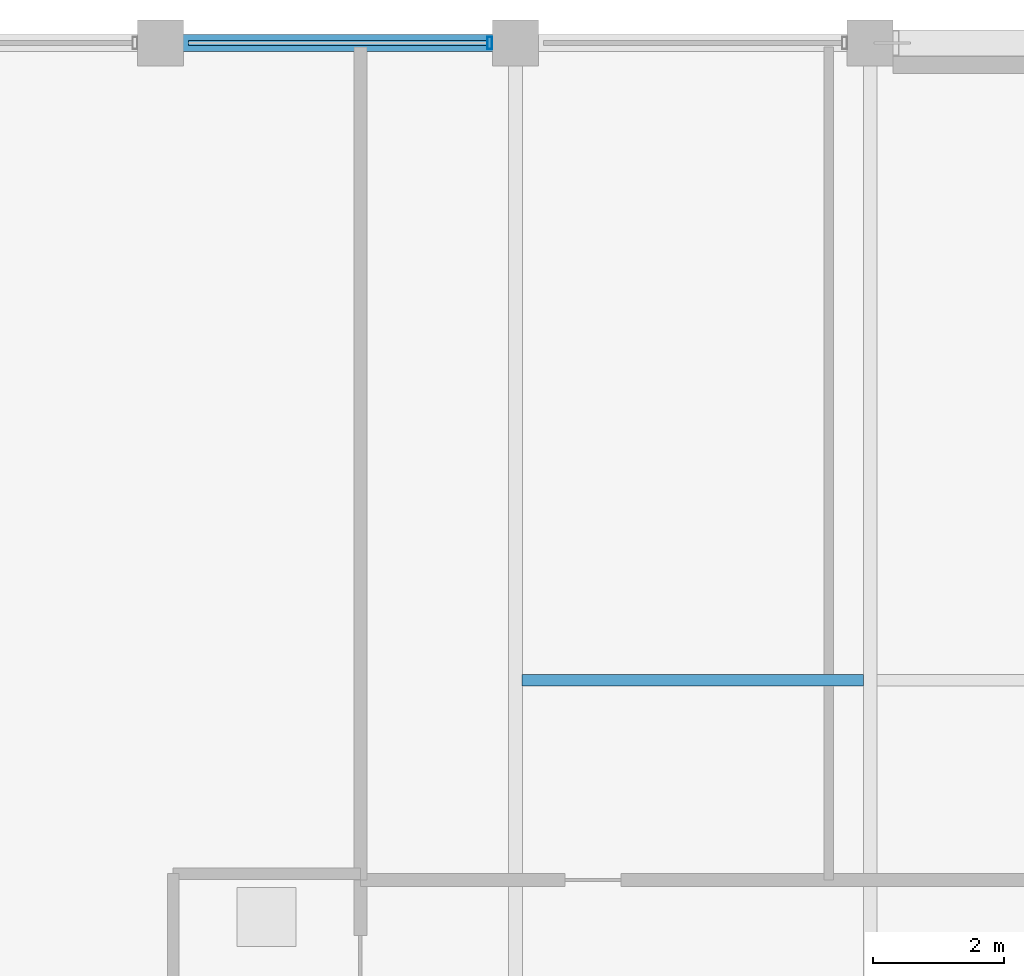
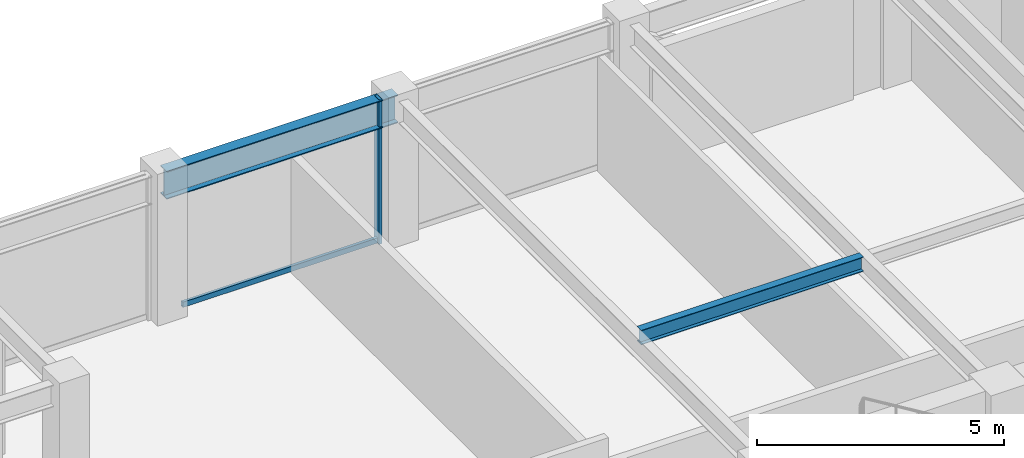
# One storey, part 17 of 30: 2 beams, 2 members, 1 element without a shape of its own.
"""IFC4 building model written with IfcOpenShell, lengths in metres."""

from ifc_helpers import new_model, si_unit, direction, frame, origin, origin_2d, place, context, subcontext, project, spatial, hollow_rectangle, i_section, extrude, material, layer, layer_set, material_profile, profile_set, type_object, element, aggregate, save


model = new_model("IFC4")

# Units and contexts
model_context = context("Model", 3, precision=1e-05, world=origin(), true_north=direction((0.0, 1.0)))
body_context = subcontext(model_context, "Body", "Model", "MODEL_VIEW")
ifc_project = project(units=[si_unit("LENGTHUNIT", "METRE"), si_unit("AREAUNIT", "SQUARE_METRE"), si_unit("VOLUMEUNIT", "CUBIC_METRE"), si_unit("PLANEANGLEUNIT", "RADIAN"), si_unit("MASSUNIT", "GRAM", prefix="KILO")], contexts=[model_context])

# Site, building, storey
site_placement = place(None, origin())
site = spatial("IfcSite", under=ifc_project, at=site_placement, CompositionType="ELEMENT")
building_placement = place(site_placement, origin())
building = spatial("IfcBuilding", under=site, at=building_placement, Name="Surkhivell Harbour Commons", CompositionType="ELEMENT")
storey_placement = place(building_placement, frame((0.0, 0.0, 296.25)))
storey = spatial("IfcBuildingStorey", under=building, at=storey_placement, Name="L77", CompositionType="ELEMENT", Elevation=296.25)

# Beams
ifc_material_1 = material(Name="Steel S355", Category="steel")
ifc_material_profile_1 = material_profile(ifc_material_1, i_section(OverallWidth=0.172119140625, OverallDepth=0.35791015625, WebThickness=0.008056640625, FlangeThickness=0.012939453125, at=origin_2d()), Name="UB356x171x57")
ifc_profile_set_1 = profile_set([ifc_material_profile_1], Name="Steel S355")
beam_type_1 = type_object("IfcBeamType", Name="BM-JST-356", PredefinedType="JOIST", material=ifc_profile_set_1)
beam_1_placement = place(storey_placement, frame((-10.697021484375, 16.199951171875, 3.39111328125), z_axis=(1.0, 0.0, 0.0), x_axis=(0.0, 1.0, 0.0)))
element("IfcBeam", 1, at=beam_1_placement, inside=storey, type_object=beam_type_1, Name="L77 North Composite Joist (-10.8)", PredefinedType="JOIST", context=body_context, shape_type="SweptSolid", body=[
    extrude(i_section(OverallWidth=0.172119140625, OverallDepth=0.35791015625, WebThickness=0.008056640625, FlangeThickness=0.012939453125, at=origin_2d()), origin(), (0.0, 0.0, 1.0), 5.194091796875),
])
ifc_material_profile_2 = material_profile(ifc_material_1, i_section(OverallWidth=0.256103515625, OverallDepth=0.693115234375, WebThickness=0.014404296875, FlangeThickness=0.023681640625, at=origin_2d()), Name="UB686x254x170")
ifc_profile_set_2 = profile_set([ifc_material_profile_2], Name="Steel S355")
beam_type_2 = type_object("IfcBeamType", Name="BM-SPN-686", PredefinedType="SPANDREL", material=ifc_profile_set_2)
beam_2_placement = place(storey_placement, frame((-16.199951171875, 25.89990234375, 3.223388671875), z_axis=(1.0, 0.0, 0.0), x_axis=(0.0, 1.0, 0.0)))
element("IfcBeam", 2, at=beam_2_placement, inside=storey, type_object=beam_type_2, Name="L77 Tube Spandrel (-16.2,25.9)", PredefinedType="SPANDREL", context=body_context, shape_type="SweptSolid", body=[
    extrude(i_section(OverallWidth=0.256103515625, OverallDepth=0.693115234375, WebThickness=0.014404296875, FlangeThickness=0.023681640625, at=origin_2d()), origin(), (0.0, 0.0, 1.0), 5.39990234375),
])

# Curtain wall, members
ifc_material_2 = material(Name="Anodised pale-metal aluminium and insulated glazing", Category="aluminium")
ifc_layer = layer(ifc_material_2, 0.175048828125)
ifc_layer_set = layer_set([ifc_layer], Name="Anodised pale-metal aluminium and insulated glazing")
curtain_wall_type = type_object("IfcCurtainWallType", Name="CW-SYS-Z4", PredefinedType="NOTDEFINED", material=ifc_layer_set)
curtain_wall_placement = place(storey_placement, origin())
curtain_wall = element("IfcCurtainWall", 3, at=curtain_wall_placement, inside=storey, type_object=curtain_wall_type, Name="L77 Curtain Wall CW-L77-E07S2", PredefinedType="NOTDEFINED")
ifc_material_3 = material(Name="Anodised pale-metal aluminium alloy 6063-T6", Category="aluminium")
ifc_material_profile_3 = material_profile(ifc_material_3, hollow_rectangle(XDim=0.074951171875, YDim=0.18994140625, WallThickness=0.00390625, at=origin_2d()), Name="ALU-MULL-75x190")
ifc_profile_set_3 = profile_set([ifc_material_profile_3], Name="Anodised pale-metal aluminium alloy 6063-T6")
member_type_1 = type_object("IfcMemberType", Name="CWM-190", PredefinedType="MULLION", material=ifc_profile_set_3)
member_1_placement = place(storey_placement, frame((-11.189453125, 25.89990234375, 0.0), z_axis=(0.0, 0.0, 1.0), x_axis=(-1.0, 0.0, 0.0)))
member_1 = element("IfcMember", 4, at=member_1_placement, type_object=member_type_1, Name="CW-Z4 mullion 2", PredefinedType="MULLION", context=body_context, shape_type="SweptSolid", body=[
    extrude(hollow_rectangle(XDim=0.074951171875, YDim=0.18994140625, WallThickness=0.00390625, at=origin_2d()), origin(), (0.0, 0.0, 1.0), 3.570068359375),
])
ifc_material_4 = material(Name="Champagne anodised aluminium alloy 6063-T6", Category="aluminium")
ifc_material_profile_4 = material_profile(ifc_material_4, hollow_rectangle(XDim=0.070068359375, YDim=0.1298828125, WallThickness=0.00341796875, at=origin_2d()), Name="ALU-TRAN-70x130")
ifc_profile_set_4 = profile_set([ifc_material_profile_4], Name="Champagne anodised aluminium alloy 6063-T6")
member_type_2 = type_object("IfcMemberType", Name="CWT-130", PredefinedType="USERDEFINED", material=ifc_profile_set_4)
member_2_placement = place(storey_placement, frame((-11.22705078125, 25.89990234375, 0.06494140625), z_axis=(-1.0, 0.0, 0.0), x_axis=(0.0, -1.0, 0.0)))
member_2 = element("IfcMember", 5, at=member_2_placement, type_object=member_type_2, Name="CW-Z4 transom 2.1", ObjectType="TRANSOM", PredefinedType="USERDEFINED", context=body_context, shape_type="SweptSolid", body=[
    extrude(hollow_rectangle(XDim=0.070068359375, YDim=0.1298828125, WallThickness=0.00341796875, at=origin_2d()), origin(), (0.0, 0.0, 1.0), 4.5458984375),
])
aggregate(curtain_wall, [member_1, member_2])

save(model, "model.ifc")
